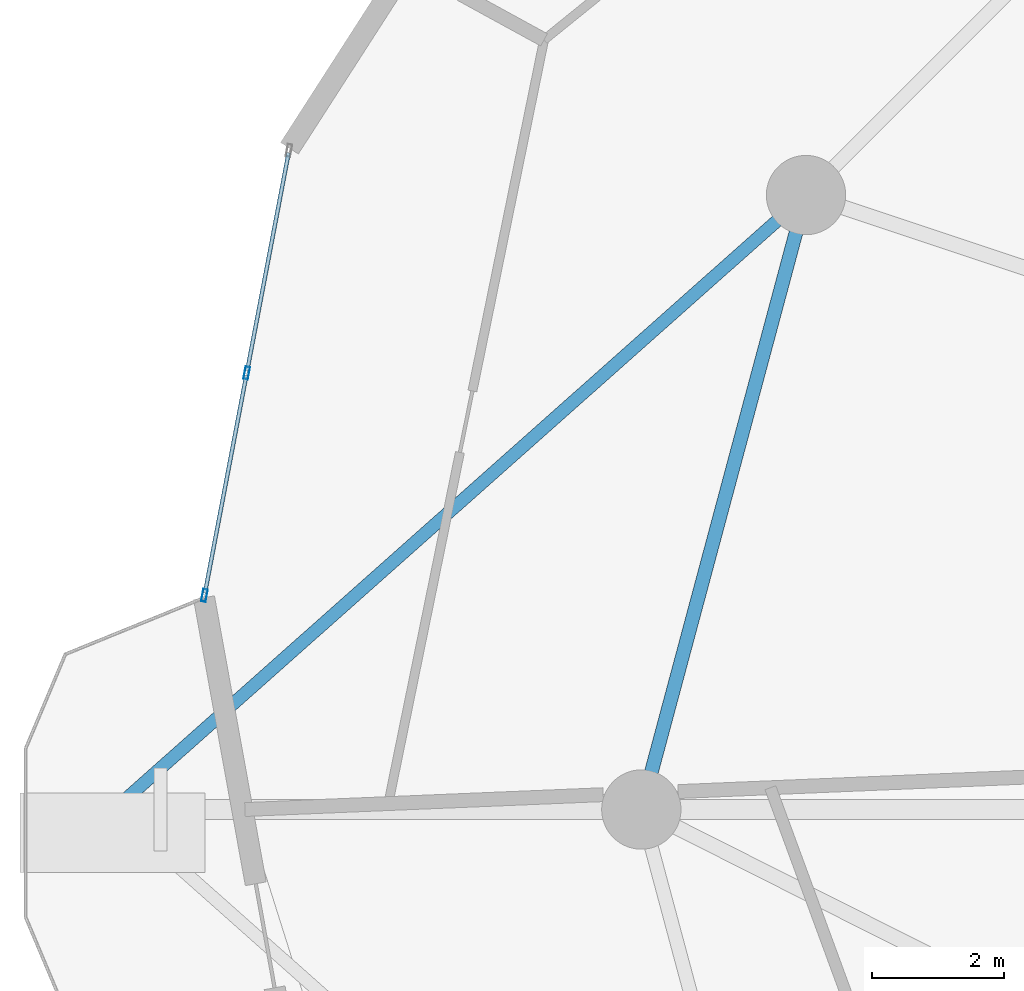
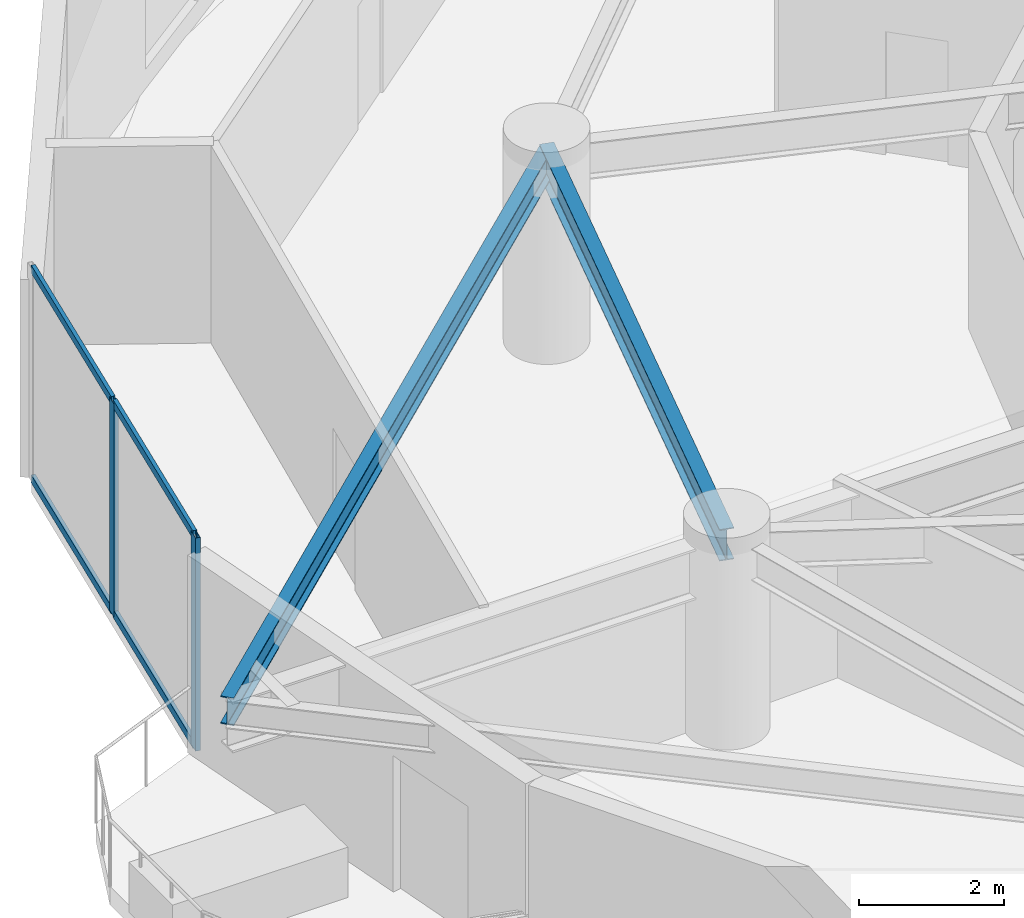
# One storey, part 4 of 22: 6 members, 2 beams, 1 element without a shape of its own.
"""IFC4 building model written with IfcOpenShell, lengths in metres."""

from ifc_helpers import new_model, si_unit, direction, frame, origin, origin_2d, place, context, subcontext, project, spatial, hollow_rectangle, i_section, extrude, source, transform, mapped, material, layer, layer_set, material_profile, profile_set, type_object, element, aggregate, save


model = new_model("IFC4")

# Units and contexts
model_context = context("Model", 3, precision=1e-05, world=origin(), true_north=direction((0.0, 1.0)))
body_context = subcontext(model_context, "Body", "Model", "MODEL_VIEW")
ifc_project = project(units=[si_unit("LENGTHUNIT", "METRE"), si_unit("AREAUNIT", "SQUARE_METRE"), si_unit("VOLUMEUNIT", "CUBIC_METRE"), si_unit("PLANEANGLEUNIT", "RADIAN"), si_unit("MASSUNIT", "GRAM", prefix="KILO")], contexts=[model_context])

# Site, building, storey
site_placement = place(None, origin())
site = spatial("IfcSite", under=ifc_project, at=site_placement, CompositionType="ELEMENT")
building_placement = place(site_placement, origin())
building = spatial("IfcBuilding", under=site, at=building_placement, Name="Solvirekh Grand Hotel", CompositionType="ELEMENT")
storey_placement = place(building_placement, frame((0.0, 0.0, 78.800048828125)))
storey = spatial("IfcBuildingStorey", under=building, at=storey_placement, Name="L19", CompositionType="ELEMENT", Elevation=78.800048828125)

# Beams
ifc_material_1 = material(Name="Steel S355", Category="steel")
ifc_material_profile_1 = material_profile(ifc_material_1, i_section(OverallWidth=0.194091796875, OverallDepth=0.468994140625, WebThickness=0.010986328125, FlangeThickness=0.01904296875, FilletRadius=0.012939453125, at=origin_2d()), Name="W460X106")
ifc_profile_set_1 = profile_set([ifc_material_profile_1], Name="Steel S355")
beam_type_1 = type_object("IfcBeamType", Name="Beam_Radial_W460H", PredefinedType="BEAM", material=ifc_profile_set_1)
beam_1_placement = place(storey_placement, frame((-16.10791015625, 9.300048828125, 3.055908203125), z_axis=(-0.747712190625, -0.664022951403, 0.0), x_axis=(0.664022951403, -0.747712190625, 0.0)))
element("IfcBeam", 1, at=beam_1_placement, inside=storey, type_object=beam_type_1, Name="L20 sky-garden edge tie beam 1", PredefinedType="BEAM", context=body_context, shape_type="SweptSolid", body=[
    extrude(i_section(OverallWidth=0.194091796875, OverallDepth=0.468994140625, WebThickness=0.010986328125, FlangeThickness=0.01904296875, FilletRadius=0.012939453125, at=origin_2d()), origin(), (0.0, 0.0, 1.0), 14.005615234375),
])
ifc_material_profile_2 = material_profile(ifc_material_1, i_section(OverallWidth=0.208984375, OverallDepth=0.532958984375, WebThickness=0.010009765625, FlangeThickness=0.014892578125, FilletRadius=0.013916015625, at=origin_2d()), Name="W530X92")
ifc_profile_set_2 = profile_set([ifc_material_profile_2], Name="Steel S355")
beam_type_2 = type_object("IfcBeamType", Name="Spandrel_Ring_W530", PredefinedType="SPANDREL", material=ifc_profile_set_2)
beam_2_placement = place(storey_placement, frame((-16.10791015625, 9.300048828125, 3.073974609375), z_axis=(-0.258842973314, -0.965919414426, 0.0), x_axis=(0.965919414426, -0.258842973314, 0.0)))
element("IfcBeam", 2, at=beam_2_placement, inside=storey, type_object=beam_type_2, Name="L19 perimeter spandrel beam 6", PredefinedType="SPANDREL", context=body_context, shape_type="SweptSolid", body=[
    extrude(i_section(OverallWidth=0.208984375, OverallDepth=0.532958984375, WebThickness=0.010009765625, FlangeThickness=0.014892578125, FilletRadius=0.013916015625, at=origin_2d()), origin(), (0.0, 0.0, 1.0), 9.628173828125),
])

# Curtain wall, members
ifc_material_2 = material(Name="Anodized Bronze Aluminium 6063-T6", Category="aluminium")
ifc_layer = layer(ifc_material_2, 0.18994140625)
ifc_layer_set = layer_set([ifc_layer], Name="Anodized Bronze Aluminium 6063-T6")
curtain_wall_type = type_object("IfcCurtainWallType", Name="CW_Sys2_LowZoneFlushBronzeCW", PredefinedType="NOTDEFINED", material=ifc_layer_set)
curtain_wall_placement = place(storey_placement, origin())
curtain_wall = element("IfcCurtainWall", 3, at=curtain_wall_placement, inside=storey, type_object=curtain_wall_type, Name="L19 unitised bronze-glass curtain wall CW-L19-C11", PredefinedType="NOTDEFINED")
ifc_material_profile_3 = material_profile(ifc_material_2, hollow_rectangle(XDim=0.06005859375, YDim=0.135009765625, WallThickness=0.00390625, at=origin_2d()), Name="ALU RHS 135X60X4")
ifc_profile_set_3 = profile_set([ifc_material_profile_3], Name="Anodized Bronze Aluminium 6063-T6")
member_type_1 = type_object("IfcMemberType", Name="CWTransom_Sys2", PredefinedType="USERDEFINED", material=ifc_profile_set_3)
shared_shape_1 = source(origin(), body_context, "Body", "SweptSolid", [
    extrude(hollow_rectangle(XDim=0.06005859375, YDim=0.135009765625, WallThickness=0.00390625, at=origin_2d()), origin(), (0.0, 0.0, 1.0), 3.357421875),
])
member_1_placement = place(storey_placement, frame((-23.93896484375, 9.940185546875, 0.030029296875), z_axis=(-0.186737847209, -0.982409780295, 0.0), x_axis=(0.982409780295, -0.186737847209, 0.0)))
member_1 = element("IfcMember", 4, at=member_1_placement, type_object=member_type_1, Name="U02 transom 1.1", ObjectType="TRANSOM", PredefinedType="USERDEFINED", context=body_context, shape_type="MappedRepresentation", body=[
    mapped(shared_shape_1, transform((0.0, 0.0, 0.0), x_axis=(1.0, 0.0, 0.0), y_axis=(0.0, 1.0, 0.0), z_axis=(0.0, 0.0, 1.0), scale=1.0)),
])
member_2_placement = place(storey_placement, frame((-23.93896484375, 9.940185546875, 3.570068359375), z_axis=(-0.186737847209, -0.982409780295, 0.0), x_axis=(0.982409780295, -0.186737847209, 0.0)))
member_2 = element("IfcMember", 5, at=member_2_placement, type_object=member_type_1, Name="U02 transom 1.2", ObjectType="TRANSOM", PredefinedType="USERDEFINED", context=body_context, shape_type="MappedRepresentation", body=[
    mapped(shared_shape_1, transform((0.0, 0.0, 0.0), x_axis=(1.0, 0.0, 0.0), y_axis=(0.0, 1.0, 0.0), z_axis=(0.0, 0.0, 1.0), scale=1.0)),
])
member_3_placement = place(storey_placement, frame((-24.5791015625, 6.572998046875, 0.030029296875), z_axis=(-0.186667664274, -0.98242311817, 0.0), x_axis=(0.98242311817, -0.186667664274, 0.0)))
member_3 = element("IfcMember", 6, at=member_3_placement, type_object=member_type_1, Name="U02 transom 2.1", ObjectType="TRANSOM", PredefinedType="USERDEFINED", context=body_context, shape_type="MappedRepresentation", body=[
    mapped(shared_shape_1, transform((0.0, 0.0, 0.0), x_axis=(1.0, 0.0, 0.0), y_axis=(0.0, 1.0, 0.0), z_axis=(0.0, 0.0, 1.0), scale=1.0)),
])
member_4_placement = place(storey_placement, frame((-24.5791015625, 6.572998046875, 3.570068359375), z_axis=(-0.186667664274, -0.98242311817, 0.0), x_axis=(0.98242311817, -0.186667664274, 0.0)))
member_4 = element("IfcMember", 7, at=member_4_placement, type_object=member_type_1, Name="U02 transom 2.2", ObjectType="TRANSOM", PredefinedType="USERDEFINED", context=body_context, shape_type="MappedRepresentation", body=[
    mapped(shared_shape_1, transform((0.0, 0.0, 0.0), x_axis=(1.0, 0.0, 0.0), y_axis=(0.0, 1.0, 0.0), z_axis=(0.0, 0.0, 1.0), scale=1.0)),
])
ifc_material_profile_4 = material_profile(ifc_material_2, hollow_rectangle(XDim=0.070068359375, YDim=0.18994140625, WallThickness=0.0048828125, at=origin_2d()), Name="ALU RHS 190X70X5")
ifc_profile_set_4 = profile_set([ifc_material_profile_4], Name="Anodized Bronze Aluminium 6063-T6")
member_type_2 = type_object("IfcMemberType", Name="CWMullion_Sys2", PredefinedType="MULLION", material=ifc_profile_set_4)
shared_shape_2 = source(origin(), body_context, "Body", "SweptSolid", [
    extrude(hollow_rectangle(XDim=0.070068359375, YDim=0.18994140625, WallThickness=0.0048828125, at=origin_2d()), origin(), (0.0, 0.0, 1.0), 3.599853515625),
])
member_5_placement = place(storey_placement, frame((-24.572509765625, 6.607421875, 0.0), z_axis=(0.0, 0.0, 1.0), x_axis=(0.98241306275, -0.186720577707, 0.0)))
member_5 = element("IfcMember", 8, at=member_5_placement, type_object=member_type_2, Name="U02 mullion 2", PredefinedType="MULLION", context=body_context, shape_type="MappedRepresentation", body=[
    mapped(shared_shape_2, transform((0.0, 0.0, 0.0), x_axis=(1.0, 0.0, 0.0), y_axis=(0.0, 1.0, 0.0), z_axis=(0.0, 0.0, 1.0), scale=1.0)),
])
member_6_placement = place(storey_placement, frame((-25.21240234375, 3.240478515625, 0.0), z_axis=(0.0, 0.0, 1.0), x_axis=(0.98241306275, -0.186720577707, 0.0)))
member_6 = element("IfcMember", 9, at=member_6_placement, type_object=member_type_2, Name="U02 mullion 3", PredefinedType="MULLION", context=body_context, shape_type="MappedRepresentation", body=[
    mapped(shared_shape_2, transform((0.0, 0.0, 0.0), x_axis=(1.0, 0.0, 0.0), y_axis=(0.0, 1.0, 0.0), z_axis=(0.0, 0.0, 1.0), scale=1.0)),
])
aggregate(curtain_wall, [member_5, member_6, member_1, member_2, member_3, member_4])

save(model, "model.ifc")
